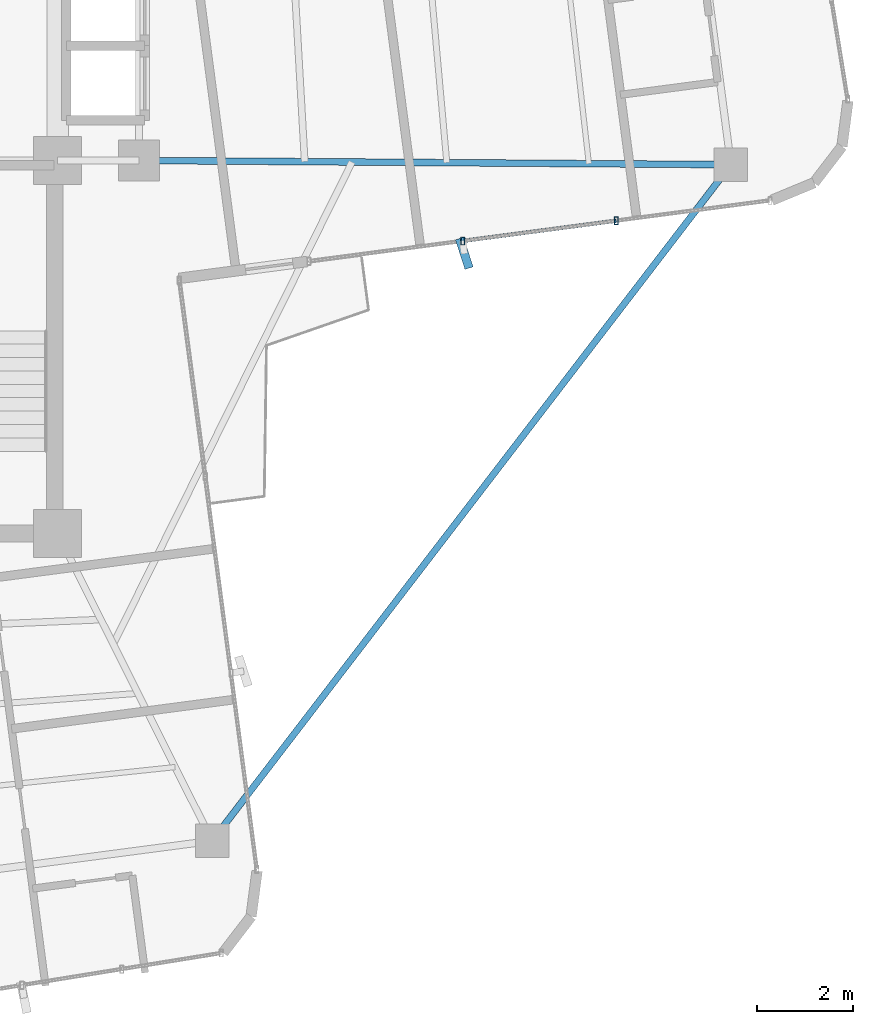
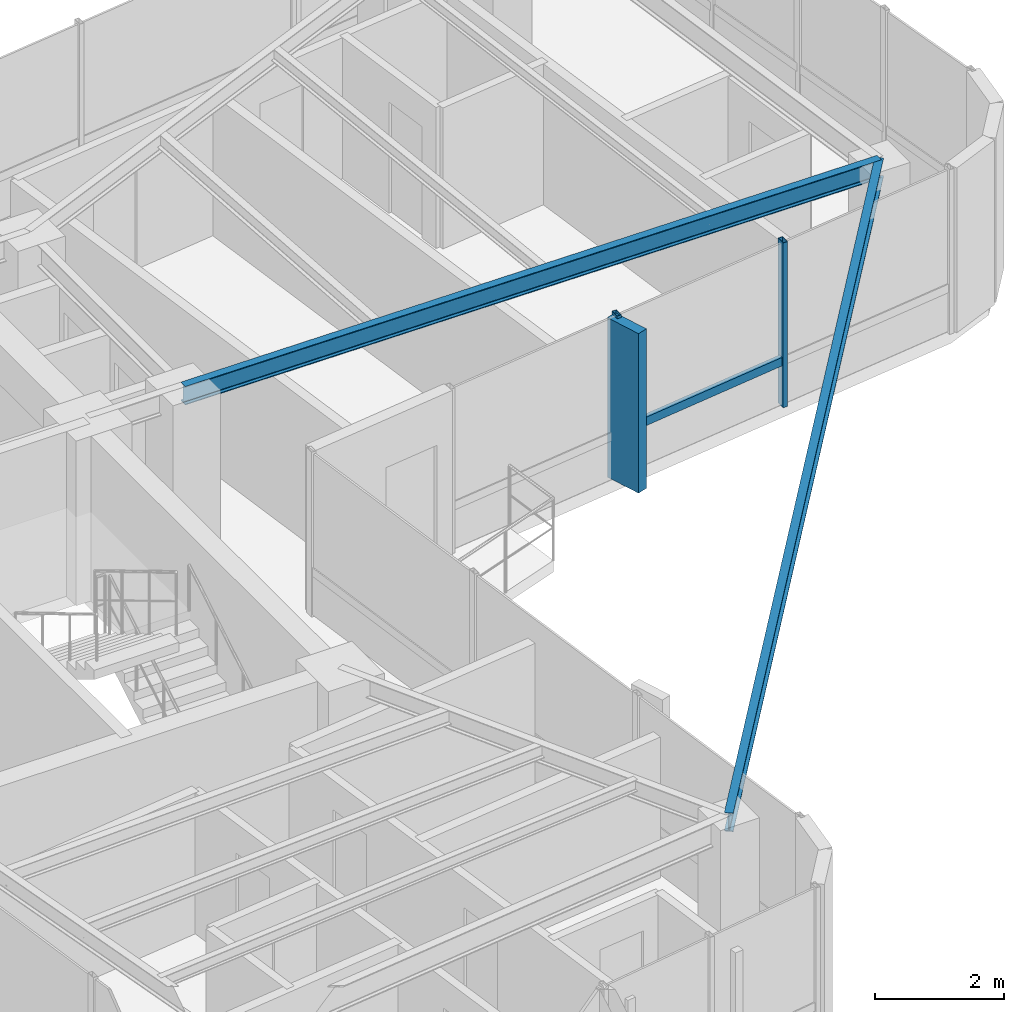
# One storey, part 11 of 21: 4 members, 2 beams, 1 element without a shape of its own.
"""IFC4 building model written with IfcOpenShell, lengths in metres."""

from ifc_helpers import new_model, si_unit, direction, frame, origin, origin_2d, place, context, subcontext, project, spatial, rectangle, hollow_rectangle, i_section, extrude, source, transform, mapped, material, material_profile, profile_set, type_object, element, aggregate, save


model = new_model("IFC4")

# Units and contexts
model_context = context("Model", 3, precision=1e-05, world=origin(), true_north=direction((0.0, 1.0)))
body_context = subcontext(model_context, "Body", "Model", "MODEL_VIEW")
ifc_project = project(units=[si_unit("LENGTHUNIT", "METRE"), si_unit("AREAUNIT", "SQUARE_METRE"), si_unit("VOLUMEUNIT", "CUBIC_METRE"), si_unit("PLANEANGLEUNIT", "RADIAN"), si_unit("MASSUNIT", "GRAM", prefix="KILO")], contexts=[model_context])

# Site, building, storey
site_placement = place(None, origin())
site = spatial("IfcSite", under=ifc_project, at=site_placement, CompositionType="ELEMENT")
building_placement = place(site_placement, origin())
building = spatial("IfcBuilding", under=site, at=building_placement, Name="Sahyath Konkavel Grand Hotel", CompositionType="ELEMENT")
storey_placement = place(building_placement, frame((0.0, 0.0, 216.550048828125)))
storey = spatial("IfcBuildingStorey", under=building, at=storey_placement, Name="L60", CompositionType="ELEMENT", Elevation=216.550048828125)

# Beams
ifc_material_1 = material(Name="Steel E350", Category="steel")
ifc_material_profile_1 = material_profile(ifc_material_1, i_section(OverallWidth=0.139892578125, OverallDepth=0.35009765625, WebThickness=0.008056640625, FlangeThickness=0.01416015625, FilletRadius=0.013916015625, at=origin_2d()), Name="ISMB 350")
ifc_profile_set_1 = profile_set([ifc_material_profile_1], Name="Steel E350")
beam_type = type_object("IfcBeamType", Name="BM-ISMB350", PredefinedType="BEAM", material=ifc_profile_set_1)
shared_shape_1 = source(origin(), body_context, "Body", "SweptSolid", [
    extrude(i_section(OverallWidth=0.139892578125, OverallDepth=0.35009765625, WebThickness=0.008056640625, FlangeThickness=0.01416015625, FilletRadius=0.013916015625, at=origin_2d()), origin(), (0.0, 0.0, 1.0), 12.3779296875),
])
beam_1_placement = place(storey_placement, frame((5.5, -2.39990234375, 2.93505859375), z_axis=(0.999974790757, -0.007100552766, 0.0), x_axis=(0.007100552766, 0.999974790757, 0.0)))
element("IfcBeam", 1, at=beam_1_placement, inside=storey, type_object=beam_type, Name="L60 Cruciform Radial Girder EA", PredefinedType="BEAM", context=body_context, shape_type="MappedRepresentation", body=[
    mapped(shared_shape_1, transform((0.0, 0.0, 0.0), scale=1.0)),
])
shared_shape_2 = source(origin(), body_context, "Body", "SweptSolid", [
    extrude(i_section(OverallWidth=0.139892578125, OverallDepth=0.35009765625, WebThickness=0.008056640625, FlangeThickness=0.01416015625, FilletRadius=0.013916015625, at=origin_2d()), origin(), (0.0, 0.0, 1.0), 17.819091796875),
])
beam_2_placement = place(storey_placement, frame((17.877685546875, -2.48779296875, 2.93505859375), z_axis=(-0.608767449027, -0.793348720932, 0.0), x_axis=(0.793348720932, -0.608767449027, 0.0)))
element("IfcBeam", 2, at=beam_2_placement, inside=storey, type_object=beam_type, Name="L60 Re-Entrant Tie Beam SE", PredefinedType="BEAM", context=body_context, shape_type="MappedRepresentation", body=[
    mapped(shared_shape_2, transform((0.0, 0.0, 0.0), scale=1.0)),
])

# Curtain wall, members
ifc_material_2 = material(Name="Anodised Bronze Aluminium & Low-E Glazing", Category="aluminium")
curtain_wall_type = type_object("IfcCurtainWallType", Name="CW-ZONE4", PredefinedType="NOTDEFINED", material=ifc_material_2)
curtain_wall_placement = place(storey_placement, origin())
curtain_wall = element("IfcCurtainWall", 3, at=curtain_wall_placement, inside=storey, type_object=curtain_wall_type, Name="L60 Unitised Curtain Wall F0", PredefinedType="NOTDEFINED")
ifc_material_3 = material(Name="Anodised Bronze Aluminium", Category="aluminium")
ifc_material_profile_2 = material_profile(ifc_material_3, hollow_rectangle(XDim=0.080078125, YDim=0.159912109375, WallThickness=0.006103515625, at=origin_2d()), Name="RHS 160x80x6")
ifc_profile_set_2 = profile_set([ifc_material_profile_2], Name="Anodised Bronze Aluminium")
member_type_1 = type_object("IfcMemberType", Name="CW-MUL-160", PredefinedType="MULLION", material=ifc_profile_set_2)
shared_shape_3 = source(origin(), body_context, "Body", "SweptSolid", [
    extrude(hollow_rectangle(XDim=0.080078125, YDim=0.159912109375, WallThickness=0.006103515625, at=origin_2d()), origin(), (0.0, 0.0, 1.0), 3.10986328125),
])
member_1_placement = place(storey_placement, frame((12.26806640625, -4.083740234375, 0.0), z_axis=(0.0, 0.0, 1.0), x_axis=(1.0, 0.0, 0.0)))
member_1 = element("IfcMember", 4, at=member_1_placement, type_object=member_type_1, Name="L60 Curtain Wall Mullion F0-1", PredefinedType="MULLION", context=body_context, shape_type="MappedRepresentation", body=[
    mapped(shared_shape_3, transform((0.0, 0.0, 0.0), scale=1.0)),
])
member_2_placement = place(storey_placement, frame((15.480224609375, -3.66064453125, 0.0), z_axis=(0.0, 0.0, 1.0), x_axis=(1.0, 0.0, 0.0)))
member_2 = element("IfcMember", 5, at=member_2_placement, type_object=member_type_1, Name="L60 Curtain Wall Mullion F0-2", PredefinedType="MULLION", context=body_context, shape_type="MappedRepresentation", body=[
    mapped(shared_shape_3, transform((0.0, 0.0, 0.0), scale=1.0)),
])
ifc_material_4 = material(Name="Warm Buff Sandstone Cladding on Concrete C50/60", Category="masonry")
ifc_material_profile_3 = material_profile(ifc_material_4, rectangle(XDim=0.179931640625, YDim=0.64990234375, at=origin_2d()), Name="FIN 180x650")
ifc_profile_set_3 = profile_set([ifc_material_profile_3], Name="Warm Buff Sandstone Cladding on Concrete C50/60")
member_type_2 = type_object("IfcMemberType", Name="FIN-SANDSTONE-650", PredefinedType="MULLION", material=ifc_profile_set_3)
shared_shape_4 = source(origin(), body_context, "Body", "SweptSolid", [
    extrude(rectangle(XDim=0.179931640625, YDim=0.64990234375, at=origin_2d()), origin(), (0.0, 0.0, 1.0), 3.010009765625),
])
member_3_placement = place(storey_placement, frame((12.302001953125, -4.341552734375, 0.050048828125), z_axis=(0.0, 0.0, 1.0), x_axis=(0.951379596601, 0.308020881065, 0.0)))
member_3 = element("IfcMember", 6, at=member_3_placement, type_object=member_type_2, Name="L60 Sandstone Vertical Solar Fin FIN F0-1", PredefinedType="MULLION", context=body_context, shape_type="MappedRepresentation", body=[
    mapped(shared_shape_4, transform((0.0, 0.0, 0.0), scale=1.0)),
])
ifc_material_profile_4 = material_profile(ifc_material_3, hollow_rectangle(XDim=0.080078125, YDim=0.159912109375, WallThickness=0.006103515625, at=origin_2d()), Name="RHS 160x80x6")
ifc_profile_set_4 = profile_set([ifc_material_profile_4], Name="Anodised Bronze Aluminium")
member_type_3 = type_object("IfcMemberType", Name="CW-TRN-160", PredefinedType="USERDEFINED", material=ifc_profile_set_4)
shared_shape_5 = source(origin(), body_context, "Body", "SweptSolid", [
    extrude(hollow_rectangle(XDim=0.080078125, YDim=0.159912109375, WallThickness=0.006103515625, at=origin_2d()), origin(), (0.0, 0.0, 1.0), 3.239990234375),
])
member_4_placement = place(storey_placement, frame((12.26806640625, -4.083740234375, 0.849853515625), z_axis=(0.991436589187, 0.130589010341, 0.0), x_axis=(-0.130589010341, 0.991436589187, 0.0)))
member_4 = element("IfcMember", 7, at=member_4_placement, type_object=member_type_3, Name="L60 Curtain Wall Transom F0-1-spandrel", ObjectType="TRANSOM", PredefinedType="USERDEFINED", context=body_context, shape_type="MappedRepresentation", body=[
    mapped(shared_shape_5, transform((0.0, 0.0, 0.0), scale=1.0)),
])
aggregate(curtain_wall, [member_1, member_3, member_2, member_4])

save(model, "model.ifc")
